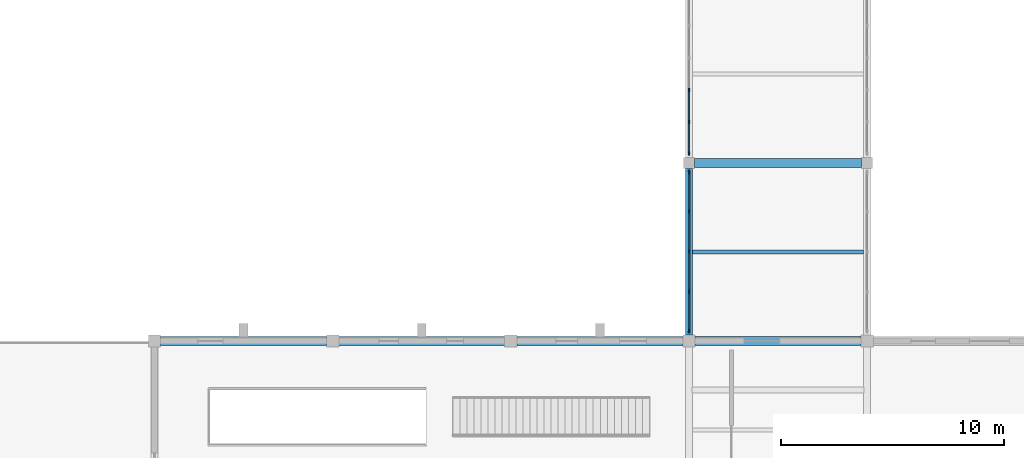
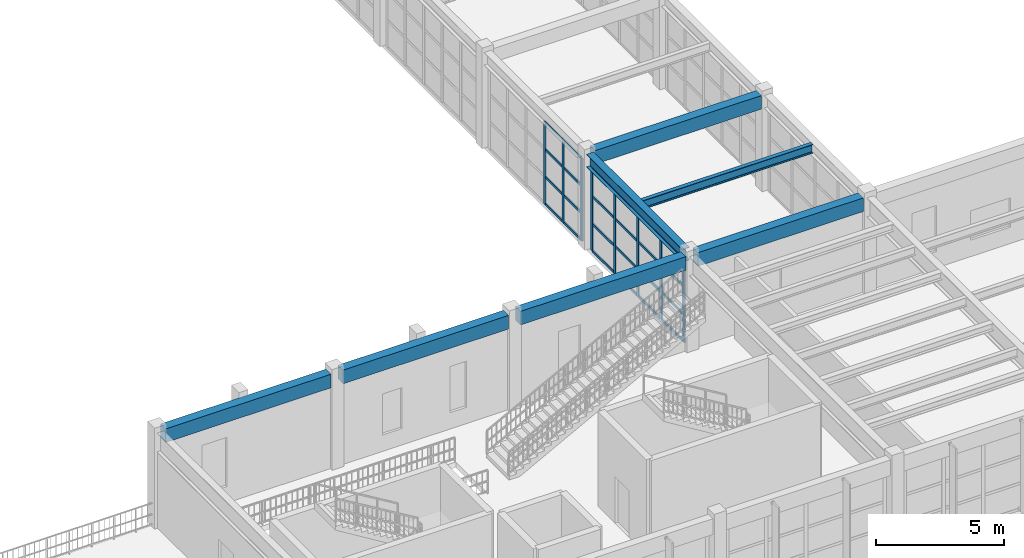
# One storey, part 10 of 59: 32 members, 7 beams, 2 elements without a shape of their own.
"""IFC4 building model written with IfcOpenShell, lengths in metres."""

from ifc_helpers import new_model, si_unit, direction, frame, origin, origin_2d, place, context, subcontext, project, spatial, rectangle, i_section, extrude, material, material_profile, profile_set, type_object, element, aggregate, save


model = new_model("IFC4")

# Units and contexts
model_context = context("Model", 3, precision=1e-05, world=origin(), true_north=direction((0.0, 1.0)))
body_context = subcontext(model_context, "Body", "Model", "MODEL_VIEW")
ifc_project = project(units=[si_unit("LENGTHUNIT", "METRE"), si_unit("AREAUNIT", "SQUARE_METRE"), si_unit("VOLUMEUNIT", "CUBIC_METRE"), si_unit("PLANEANGLEUNIT", "RADIAN"), si_unit("MASSUNIT", "GRAM", prefix="KILO")], contexts=[model_context])

# Site, building, storey
site_placement = place(None, origin())
site = spatial("IfcSite", under=ifc_project, at=site_placement, CompositionType="ELEMENT")
building_placement = place(site_placement, origin())
building = spatial("IfcBuilding", under=site, at=building_placement, Name="Serraluz Foothill Cableway Terminal", CompositionType="ELEMENT")
storey_placement = place(building_placement, frame((0.0, 0.0, 4.800048828125)))
storey = spatial("IfcBuildingStorey", under=building, at=storey_placement, Name="L01", CompositionType="ELEMENT", Elevation=4.800048828125)

# Beams
ifc_material_1 = material(Name="Concrete C28/35 (f'c 28 MPa)", Category="concrete")
ifc_material_profile_1 = material_profile(ifc_material_1, rectangle(XDim=0.39990234375, YDim=0.64990234375, at=origin_2d()), Name="RC 400x650")
ifc_profile_set_1 = profile_set([ifc_material_profile_1], Name="Concrete C28/35 (f'c 28 MPa)")
beam_type_1 = type_object("IfcBeamType", Name="TYP-BM-RC400X650", PredefinedType="BEAM", material=ifc_profile_set_1)
for number, where, z_axis, x_axis, name in (
    (1, (96.27099609375, 16.0, 4.21484375), (1.0, 0.0, 0.0), (0.0, 1.0, 0.0), "Primary Girder BM-X-L01-0186"),
    (2, (104.27099609375, 16.0, 4.21484375), (1.0, 0.0, 0.0), (0.0, 1.0, 0.0), "Primary Girder BM-X-L01-0187"),
    (3, (112.27099609375, 16.0, 4.21484375), (1.0, 0.0, 0.0), (0.0, 1.0, 0.0), "Primary Girder BM-X-L01-0188"),
    (4, (120.27099609375, 16.0, 4.21484375), (1.0, 0.0, 0.0), (0.0, 1.0, 0.0), "Primary Girder BM-X-L01-0189"),
):
    element("IfcBeam", number, at=place(storey_placement, frame(where, z_axis=z_axis, x_axis=x_axis)), inside=storey, type_object=beam_type_1, Name=name, PredefinedType="BEAM", context=body_context, shape_type="SweptSolid", body=[
        extrude(rectangle(XDim=0.39990234375, YDim=0.64990234375, at=origin_2d()), origin(), (0.0, 0.0, 1.0), 7.4580078125),
    ])
beam_1_placement = place(storey_placement, frame((120.24609375, 24.0, 4.23486328125), z_axis=(1.0, 0.0, 0.0), x_axis=(0.0, 1.0, 0.0)))
element("IfcBeam", 5, at=beam_1_placement, inside=storey, type_object=beam_type_1, Name="Primary Girder BM-X-L01-0192", PredefinedType="BEAM", context=body_context, shape_type="SweptSolid", body=[
    extrude(rectangle(XDim=0.39990234375, YDim=0.64990234375, at=origin_2d()), origin(), (0.0, 0.0, 1.0), 7.5078125),
])
ifc_material_2 = material(Name="Steel ASTM A992 Grade 50", Category="steel")
ifc_material_profile_2 = material_profile(ifc_material_2, i_section(OverallWidth=0.324951171875, OverallDepth=0.615966796875, WebThickness=0.013916015625, FlangeThickness=0.021484375, FilletRadius=0.01806640625, at=origin_2d()), Name="W24X117")
ifc_profile_set_2 = profile_set([ifc_material_profile_2], Name="Steel ASTM A992 Grade 50")
beam_type_2 = type_object("IfcBeamType", Name="TYP-BM-W24X117", PredefinedType="BEAM", material=ifc_profile_set_2)
beam_2_placement = place(storey_placement, frame((120.0, 16.27099609375, 4.251953125), z_axis=(0.0, 1.0, 0.0), x_axis=(-1.0, 0.0, 0.0)))
element("IfcBeam", 6, at=beam_2_placement, inside=storey, type_object=beam_type_2, Name="Transverse Girder BM-Y-L01-0275", PredefinedType="BEAM", context=body_context, shape_type="SweptSolid", body=[
    extrude(i_section(OverallWidth=0.324951171875, OverallDepth=0.615966796875, WebThickness=0.013916015625, FlangeThickness=0.021484375, FilletRadius=0.01806640625, at=origin_2d()), origin(), (0.0, 0.0, 1.0), 7.48291015625),
])

# Curtain wall, members
ifc_material_3 = material(Name="Architectural bronze alloy C28000", Category="aluminium")
curtain_wall_type = type_object("IfcCurtainWallType", Name="TYP-CW-710X420", PredefinedType="NOTDEFINED", material=ifc_material_3)
curtain_wall_1_placement = place(storey_placement, origin())
curtain_wall_1 = element("IfcCurtainWall", 7, at=curtain_wall_1_placement, inside=storey, type_object=curtain_wall_type, Name="Ribbed Glazed Curtain Wall CW-CLW-L01-16", PredefinedType="NOTDEFINED")
ifc_material_profile_3 = material_profile(ifc_material_3, rectangle(XDim=0.06005859375, YDim=0.159912109375, at=origin_2d()), Name="ALU MULLION 60x160")
ifc_profile_set_3 = profile_set([ifc_material_profile_3], Name="Architectural bronze alloy C28000")
member_type_1 = type_object("IfcMemberType", Name="TYP-CW-MUL-60X160", PredefinedType="MULLION", material=ifc_profile_set_3)
member_1_placement = place(storey_placement, frame((120.0, 16.445068359375, 0.0), z_axis=(0.0, 0.0, 1.0), x_axis=(-1.0, 0.0, 0.0)))
member_1 = element("IfcMember", 8, at=member_1_placement, type_object=member_type_1, Name="CW-01 mullion 1", PredefinedType="MULLION", context=body_context, shape_type="SweptSolid", body=[
    extrude(rectangle(XDim=0.06005859375, YDim=0.159912109375, at=origin_2d()), origin(), (0.0, 0.0, 1.0), 3.94384765625),
])
member_2_placement = place(storey_placement, frame((120.0, 18.2138671875, 0.0), z_axis=(0.0, 0.0, 1.0), x_axis=(-1.0, 0.0, 0.0)))
member_2 = element("IfcMember", 9, at=member_2_placement, type_object=member_type_1, Name="CW-01 mullion 2", PredefinedType="MULLION", context=body_context, shape_type="SweptSolid", body=[
    extrude(rectangle(XDim=0.06005859375, YDim=0.159912109375, at=origin_2d()), origin(), (0.0, 0.0, 1.0), 3.94384765625),
])
member_3_placement = place(storey_placement, frame((120.0, 20.012451171875, 0.0), z_axis=(0.0, 0.0, 1.0), x_axis=(-1.0, 0.0, 0.0)))
member_3 = element("IfcMember", 10, at=member_3_placement, type_object=member_type_1, Name="CW-01 mullion 3", PredefinedType="MULLION", context=body_context, shape_type="SweptSolid", body=[
    extrude(rectangle(XDim=0.06005859375, YDim=0.159912109375, at=origin_2d()), origin(), (0.0, 0.0, 1.0), 3.94384765625),
])
member_4_placement = place(storey_placement, frame((120.0, 21.811279296875, 0.0), z_axis=(0.0, 0.0, 1.0), x_axis=(-1.0, 0.0, 0.0)))
member_4 = element("IfcMember", 11, at=member_4_placement, type_object=member_type_1, Name="CW-01 mullion 4", PredefinedType="MULLION", context=body_context, shape_type="SweptSolid", body=[
    extrude(rectangle(XDim=0.06005859375, YDim=0.159912109375, at=origin_2d()), origin(), (0.0, 0.0, 1.0), 3.94384765625),
])
member_5_placement = place(storey_placement, frame((120.0, 23.580078125, 0.0), z_axis=(0.0, 0.0, 1.0), x_axis=(-1.0, 0.0, 0.0)))
member_5 = element("IfcMember", 12, at=member_5_placement, type_object=member_type_1, Name="CW-01 mullion 5", PredefinedType="MULLION", context=body_context, shape_type="SweptSolid", body=[
    extrude(rectangle(XDim=0.06005859375, YDim=0.159912109375, at=origin_2d()), origin(), (0.0, 0.0, 1.0), 3.94384765625),
])

curtain_wall_2_placement = place(storey_placement, origin())
curtain_wall_2 = element("IfcCurtainWall", 13, at=curtain_wall_2_placement, inside=storey, type_object=curtain_wall_type, Name="Ribbed Glazed Curtain Wall CW-CLW-L01-24", PredefinedType="NOTDEFINED")
member_6_placement = place(storey_placement, frame((120.0, 24.419921875, 0.0), z_axis=(0.0, 0.0, 1.0), x_axis=(-1.0, 0.0, 0.0)))
member_6 = element("IfcMember", 14, at=member_6_placement, type_object=member_type_1, Name="CW-01 mullion 1", PredefinedType="MULLION", context=body_context, shape_type="SweptSolid", body=[
    extrude(rectangle(XDim=0.06005859375, YDim=0.159912109375, at=origin_2d()), origin(), (0.0, 0.0, 1.0), 3.94384765625),
])
member_7_placement = place(storey_placement, frame((120.0, 25.833984375, 0.0), z_axis=(0.0, 0.0, 1.0), x_axis=(-1.0, 0.0, 0.0)))
member_7 = element("IfcMember", 15, at=member_7_placement, type_object=member_type_1, Name="CW-01 mullion 2", PredefinedType="MULLION", context=body_context, shape_type="SweptSolid", body=[
    extrude(rectangle(XDim=0.06005859375, YDim=0.159912109375, at=origin_2d()), origin(), (0.0, 0.0, 1.0), 3.94384765625),
])
member_8_placement = place(storey_placement, frame((120.0, 27.278076171875, 0.0), z_axis=(0.0, 0.0, 1.0), x_axis=(-1.0, 0.0, 0.0)))
member_8 = element("IfcMember", 16, at=member_8_placement, type_object=member_type_1, Name="CW-01 mullion 3", PredefinedType="MULLION", context=body_context, shape_type="SweptSolid", body=[
    extrude(rectangle(XDim=0.06005859375, YDim=0.159912109375, at=origin_2d()), origin(), (0.0, 0.0, 1.0), 3.94384765625),
])

# Member
ifc_material_profile_4 = material_profile(ifc_material_3, rectangle(XDim=0.06005859375, YDim=0.1201171875, at=origin_2d()), Name="ALU TRANSOM 60x120")
ifc_profile_set_4 = profile_set([ifc_material_profile_4], Name="Architectural bronze alloy C28000")
member_type_2 = type_object("IfcMemberType", Name="TYP-CW-TRN-60X120", PredefinedType="USERDEFINED", material=ifc_profile_set_4)
member_9_placement = place(storey_placement, frame((120.0, 16.47509765625, 0.030029296875), z_axis=(0.0, 1.0, 0.0), x_axis=(-1.0, 0.0, 0.0)))
member_9 = element("IfcMember", 17, at=member_9_placement, type_object=member_type_2, Name="CW-01 transom 1.1", ObjectType="TRANSOM", PredefinedType="USERDEFINED", context=body_context, shape_type="SweptSolid", body=[
    extrude(rectangle(XDim=0.06005859375, YDim=0.1201171875, at=origin_2d()), origin(), (0.0, 0.0, 1.0), 1.708740234375),
])

member_10_placement = place(storey_placement, frame((120.0, 16.47509765625, 1.314697265625), z_axis=(0.0, 1.0, 0.0), x_axis=(-1.0, 0.0, 0.0)))
member_10 = element("IfcMember", 18, at=member_10_placement, type_object=member_type_2, Name="CW-01 transom 1.2", ObjectType="TRANSOM", PredefinedType="USERDEFINED", context=body_context, shape_type="SweptSolid", body=[
    extrude(rectangle(XDim=0.06005859375, YDim=0.1201171875, at=origin_2d()), origin(), (0.0, 0.0, 1.0), 1.708740234375),
])

member_11_placement = place(storey_placement, frame((120.0, 16.47509765625, 2.629150390625), z_axis=(0.0, 1.0, 0.0), x_axis=(-1.0, 0.0, 0.0)))
member_11 = element("IfcMember", 19, at=member_11_placement, type_object=member_type_2, Name="CW-01 transom 1.3", ObjectType="TRANSOM", PredefinedType="USERDEFINED", context=body_context, shape_type="SweptSolid", body=[
    extrude(rectangle(XDim=0.06005859375, YDim=0.1201171875, at=origin_2d()), origin(), (0.0, 0.0, 1.0), 1.708740234375),
])

member_12_placement = place(storey_placement, frame((120.0, 16.47509765625, 3.9140625), z_axis=(0.0, 1.0, 0.0), x_axis=(-1.0, 0.0, 0.0)))
member_12 = element("IfcMember", 20, at=member_12_placement, type_object=member_type_2, Name="CW-01 transom 1.4", ObjectType="TRANSOM", PredefinedType="USERDEFINED", context=body_context, shape_type="SweptSolid", body=[
    extrude(rectangle(XDim=0.06005859375, YDim=0.1201171875, at=origin_2d()), origin(), (0.0, 0.0, 1.0), 1.708740234375),
])

member_13_placement = place(storey_placement, frame((120.0, 18.24365234375, 0.030029296875), z_axis=(0.0, 1.0, 0.0), x_axis=(-1.0, 0.0, 0.0)))
member_13 = element("IfcMember", 21, at=member_13_placement, type_object=member_type_2, Name="CW-01 transom 2.1", ObjectType="TRANSOM", PredefinedType="USERDEFINED", context=body_context, shape_type="SweptSolid", body=[
    extrude(rectangle(XDim=0.06005859375, YDim=0.1201171875, at=origin_2d()), origin(), (0.0, 0.0, 1.0), 1.73876953125),
])

member_14_placement = place(storey_placement, frame((120.0, 18.24365234375, 1.314697265625), z_axis=(0.0, 1.0, 0.0), x_axis=(-1.0, 0.0, 0.0)))
member_14 = element("IfcMember", 22, at=member_14_placement, type_object=member_type_2, Name="CW-01 transom 2.2", ObjectType="TRANSOM", PredefinedType="USERDEFINED", context=body_context, shape_type="SweptSolid", body=[
    extrude(rectangle(XDim=0.06005859375, YDim=0.1201171875, at=origin_2d()), origin(), (0.0, 0.0, 1.0), 1.73876953125),
])

member_15_placement = place(storey_placement, frame((120.0, 18.24365234375, 2.629150390625), z_axis=(0.0, 1.0, 0.0), x_axis=(-1.0, 0.0, 0.0)))
member_15 = element("IfcMember", 23, at=member_15_placement, type_object=member_type_2, Name="CW-01 transom 2.3", ObjectType="TRANSOM", PredefinedType="USERDEFINED", context=body_context, shape_type="SweptSolid", body=[
    extrude(rectangle(XDim=0.06005859375, YDim=0.1201171875, at=origin_2d()), origin(), (0.0, 0.0, 1.0), 1.73876953125),
])

member_16_placement = place(storey_placement, frame((120.0, 18.24365234375, 3.9140625), z_axis=(0.0, 1.0, 0.0), x_axis=(-1.0, 0.0, 0.0)))
member_16 = element("IfcMember", 24, at=member_16_placement, type_object=member_type_2, Name="CW-01 transom 2.4", ObjectType="TRANSOM", PredefinedType="USERDEFINED", context=body_context, shape_type="SweptSolid", body=[
    extrude(rectangle(XDim=0.06005859375, YDim=0.1201171875, at=origin_2d()), origin(), (0.0, 0.0, 1.0), 1.73876953125),
])

member_17_placement = place(storey_placement, frame((120.0, 20.04248046875, 0.030029296875), z_axis=(0.0, 1.0, 0.0), x_axis=(-1.0, 0.0, 0.0)))
member_17 = element("IfcMember", 25, at=member_17_placement, type_object=member_type_2, Name="CW-01 transom 3.1", ObjectType="TRANSOM", PredefinedType="USERDEFINED", context=body_context, shape_type="SweptSolid", body=[
    extrude(rectangle(XDim=0.06005859375, YDim=0.1201171875, at=origin_2d()), origin(), (0.0, 0.0, 1.0), 1.73876953125),
])

member_18_placement = place(storey_placement, frame((120.0, 20.04248046875, 1.314697265625), z_axis=(0.0, 1.0, 0.0), x_axis=(-1.0, 0.0, 0.0)))
member_18 = element("IfcMember", 26, at=member_18_placement, type_object=member_type_2, Name="CW-01 transom 3.2", ObjectType="TRANSOM", PredefinedType="USERDEFINED", context=body_context, shape_type="SweptSolid", body=[
    extrude(rectangle(XDim=0.06005859375, YDim=0.1201171875, at=origin_2d()), origin(), (0.0, 0.0, 1.0), 1.73876953125),
])

member_19_placement = place(storey_placement, frame((120.0, 20.04248046875, 2.629150390625), z_axis=(0.0, 1.0, 0.0), x_axis=(-1.0, 0.0, 0.0)))
member_19 = element("IfcMember", 27, at=member_19_placement, type_object=member_type_2, Name="CW-01 transom 3.3", ObjectType="TRANSOM", PredefinedType="USERDEFINED", context=body_context, shape_type="SweptSolid", body=[
    extrude(rectangle(XDim=0.06005859375, YDim=0.1201171875, at=origin_2d()), origin(), (0.0, 0.0, 1.0), 1.73876953125),
])

member_20_placement = place(storey_placement, frame((120.0, 20.04248046875, 3.9140625), z_axis=(0.0, 1.0, 0.0), x_axis=(-1.0, 0.0, 0.0)))
member_20 = element("IfcMember", 28, at=member_20_placement, type_object=member_type_2, Name="CW-01 transom 3.4", ObjectType="TRANSOM", PredefinedType="USERDEFINED", context=body_context, shape_type="SweptSolid", body=[
    extrude(rectangle(XDim=0.06005859375, YDim=0.1201171875, at=origin_2d()), origin(), (0.0, 0.0, 1.0), 1.73876953125),
])

member_21_placement = place(storey_placement, frame((120.0, 21.84130859375, 0.030029296875), z_axis=(0.0, 1.0, 0.0), x_axis=(-1.0, 0.0, 0.0)))
member_21 = element("IfcMember", 29, at=member_21_placement, type_object=member_type_2, Name="CW-01 transom 4.1", ObjectType="TRANSOM", PredefinedType="USERDEFINED", context=body_context, shape_type="SweptSolid", body=[
    extrude(rectangle(XDim=0.06005859375, YDim=0.1201171875, at=origin_2d()), origin(), (0.0, 0.0, 1.0), 1.708740234375),
])

member_22_placement = place(storey_placement, frame((120.0, 21.84130859375, 1.314697265625), z_axis=(0.0, 1.0, 0.0), x_axis=(-1.0, 0.0, 0.0)))
member_22 = element("IfcMember", 30, at=member_22_placement, type_object=member_type_2, Name="CW-01 transom 4.2", ObjectType="TRANSOM", PredefinedType="USERDEFINED", context=body_context, shape_type="SweptSolid", body=[
    extrude(rectangle(XDim=0.06005859375, YDim=0.1201171875, at=origin_2d()), origin(), (0.0, 0.0, 1.0), 1.708740234375),
])

member_23_placement = place(storey_placement, frame((120.0, 21.84130859375, 2.629150390625), z_axis=(0.0, 1.0, 0.0), x_axis=(-1.0, 0.0, 0.0)))
member_23 = element("IfcMember", 31, at=member_23_placement, type_object=member_type_2, Name="CW-01 transom 4.3", ObjectType="TRANSOM", PredefinedType="USERDEFINED", context=body_context, shape_type="SweptSolid", body=[
    extrude(rectangle(XDim=0.06005859375, YDim=0.1201171875, at=origin_2d()), origin(), (0.0, 0.0, 1.0), 1.708740234375),
])

member_24_placement = place(storey_placement, frame((120.0, 21.84130859375, 3.9140625), z_axis=(0.0, 1.0, 0.0), x_axis=(-1.0, 0.0, 0.0)))
member_24 = element("IfcMember", 32, at=member_24_placement, type_object=member_type_2, Name="CW-01 transom 4.4", ObjectType="TRANSOM", PredefinedType="USERDEFINED", context=body_context, shape_type="SweptSolid", body=[
    extrude(rectangle(XDim=0.06005859375, YDim=0.1201171875, at=origin_2d()), origin(), (0.0, 0.0, 1.0), 1.708740234375),
])

aggregate(curtain_wall_1, [member_1, member_2, member_3, member_4, member_5, member_9, member_10, member_11, member_12, member_13, member_14, member_15, member_16, member_17, member_18, member_19, member_20, member_21, member_22, member_23, member_24])

member_25_placement = place(storey_placement, frame((120.0, 24.449951171875, 0.030029296875), z_axis=(0.0, 1.0, 0.0), x_axis=(-1.0, 0.0, 0.0)))
member_25 = element("IfcMember", 33, at=member_25_placement, type_object=member_type_2, Name="CW-01 transom 1.1", ObjectType="TRANSOM", PredefinedType="USERDEFINED", context=body_context, shape_type="SweptSolid", body=[
    extrude(rectangle(XDim=0.06005859375, YDim=0.1201171875, at=origin_2d()), origin(), (0.0, 0.0, 1.0), 1.35400390625),
])

member_26_placement = place(storey_placement, frame((120.0, 24.449951171875, 1.314697265625), z_axis=(0.0, 1.0, 0.0), x_axis=(-1.0, 0.0, 0.0)))
member_26 = element("IfcMember", 34, at=member_26_placement, type_object=member_type_2, Name="CW-01 transom 1.2", ObjectType="TRANSOM", PredefinedType="USERDEFINED", context=body_context, shape_type="SweptSolid", body=[
    extrude(rectangle(XDim=0.06005859375, YDim=0.1201171875, at=origin_2d()), origin(), (0.0, 0.0, 1.0), 1.35400390625),
])

member_27_placement = place(storey_placement, frame((120.0, 24.449951171875, 2.629150390625), z_axis=(0.0, 1.0, 0.0), x_axis=(-1.0, 0.0, 0.0)))
member_27 = element("IfcMember", 35, at=member_27_placement, type_object=member_type_2, Name="CW-01 transom 1.3", ObjectType="TRANSOM", PredefinedType="USERDEFINED", context=body_context, shape_type="SweptSolid", body=[
    extrude(rectangle(XDim=0.06005859375, YDim=0.1201171875, at=origin_2d()), origin(), (0.0, 0.0, 1.0), 1.35400390625),
])

member_28_placement = place(storey_placement, frame((120.0, 24.449951171875, 3.9140625), z_axis=(0.0, 1.0, 0.0), x_axis=(-1.0, 0.0, 0.0)))
member_28 = element("IfcMember", 36, at=member_28_placement, type_object=member_type_2, Name="CW-01 transom 1.4", ObjectType="TRANSOM", PredefinedType="USERDEFINED", context=body_context, shape_type="SweptSolid", body=[
    extrude(rectangle(XDim=0.06005859375, YDim=0.1201171875, at=origin_2d()), origin(), (0.0, 0.0, 1.0), 1.35400390625),
])

member_29_placement = place(storey_placement, frame((120.0, 25.864013671875, 0.030029296875), z_axis=(0.0, 1.0, 0.0), x_axis=(-1.0, 0.0, 0.0)))
member_29 = element("IfcMember", 37, at=member_29_placement, type_object=member_type_2, Name="CW-01 transom 2.1", ObjectType="TRANSOM", PredefinedType="USERDEFINED", context=body_context, shape_type="SweptSolid", body=[
    extrude(rectangle(XDim=0.06005859375, YDim=0.1201171875, at=origin_2d()), origin(), (0.0, 0.0, 1.0), 1.384033203125),
])

member_30_placement = place(storey_placement, frame((120.0, 25.864013671875, 1.314697265625), z_axis=(0.0, 1.0, 0.0), x_axis=(-1.0, 0.0, 0.0)))
member_30 = element("IfcMember", 38, at=member_30_placement, type_object=member_type_2, Name="CW-01 transom 2.2", ObjectType="TRANSOM", PredefinedType="USERDEFINED", context=body_context, shape_type="SweptSolid", body=[
    extrude(rectangle(XDim=0.06005859375, YDim=0.1201171875, at=origin_2d()), origin(), (0.0, 0.0, 1.0), 1.384033203125),
])

member_31_placement = place(storey_placement, frame((120.0, 25.864013671875, 2.629150390625), z_axis=(0.0, 1.0, 0.0), x_axis=(-1.0, 0.0, 0.0)))
member_31 = element("IfcMember", 39, at=member_31_placement, type_object=member_type_2, Name="CW-01 transom 2.3", ObjectType="TRANSOM", PredefinedType="USERDEFINED", context=body_context, shape_type="SweptSolid", body=[
    extrude(rectangle(XDim=0.06005859375, YDim=0.1201171875, at=origin_2d()), origin(), (0.0, 0.0, 1.0), 1.384033203125),
])

member_32_placement = place(storey_placement, frame((120.0, 25.864013671875, 3.9140625), z_axis=(0.0, 1.0, 0.0), x_axis=(-1.0, 0.0, 0.0)))
member_32 = element("IfcMember", 40, at=member_32_placement, type_object=member_type_2, Name="CW-01 transom 2.4", ObjectType="TRANSOM", PredefinedType="USERDEFINED", context=body_context, shape_type="SweptSolid", body=[
    extrude(rectangle(XDim=0.06005859375, YDim=0.1201171875, at=origin_2d()), origin(), (0.0, 0.0, 1.0), 1.384033203125),
])

aggregate(curtain_wall_2, [member_6, member_7, member_8, member_25, member_26, member_27, member_28, member_29, member_30, member_31, member_32])

# Beam
ifc_material_profile_5 = material_profile(ifc_material_2, i_section(OverallWidth=0.180908203125, OverallDepth=0.4169921875, WebThickness=0.010986328125, FlangeThickness=0.018310546875, FilletRadius=0.013916015625, at=origin_2d()), Name="W16X57")
ifc_profile_set_5 = profile_set([ifc_material_profile_5], Name="Steel ASTM A992 Grade 50")
beam_type_3 = type_object("IfcBeamType", Name="TYP-JS-W16X57", PredefinedType="JOIST", material=ifc_profile_set_5)
beam_3_placement = place(storey_placement, frame((120.16748046875, 20.0, 4.3515625), z_axis=(1.0, 0.0, 0.0), x_axis=(0.0, 1.0, 0.0)))
element("IfcBeam", 41, at=beam_3_placement, inside=storey, type_object=beam_type_3, Name="Secondary Floor Joist JS-L01-0104", PredefinedType="JOIST", context=body_context, shape_type="SweptSolid", body=[
    extrude(i_section(OverallWidth=0.180908203125, OverallDepth=0.4169921875, WebThickness=0.010986328125, FlangeThickness=0.018310546875, FilletRadius=0.013916015625, at=origin_2d()), origin(), (0.0, 0.0, 1.0), 7.6650390625),
])

save(model, "model.ifc")
